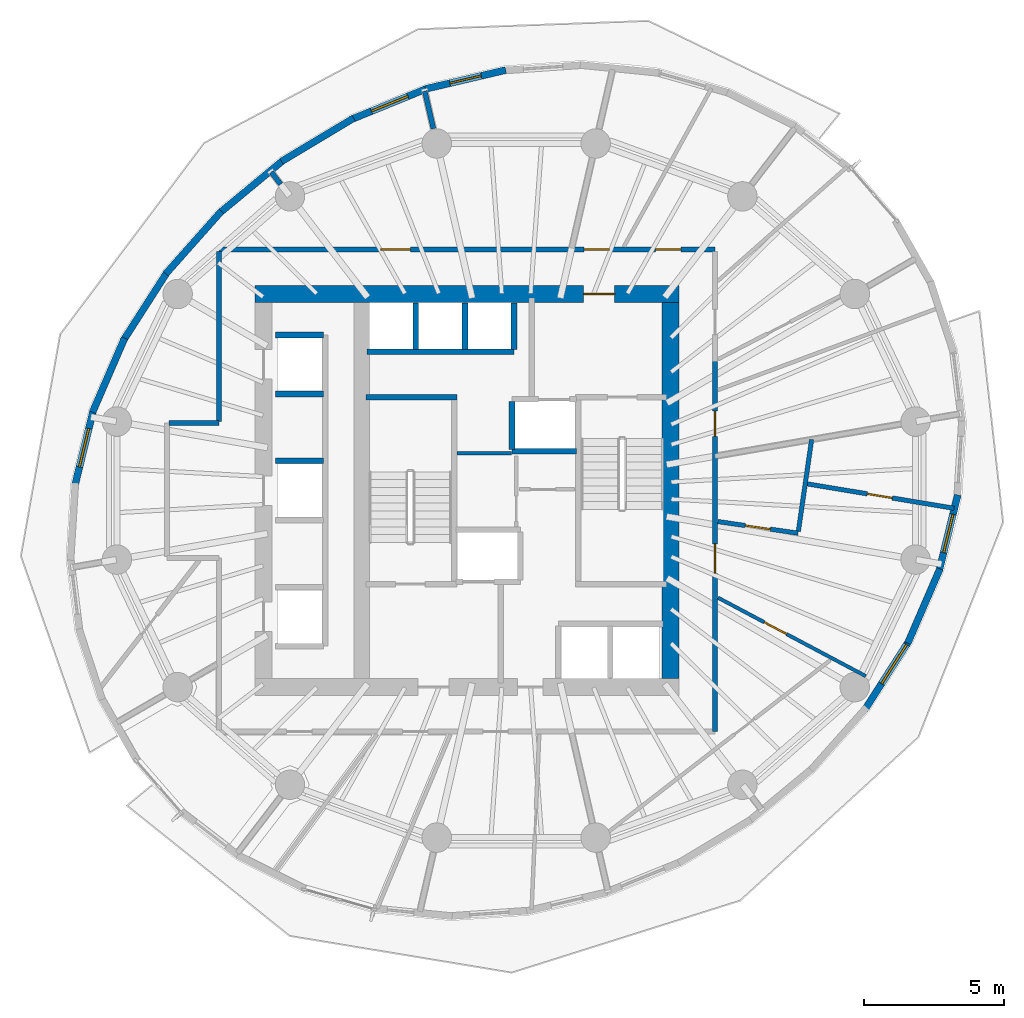
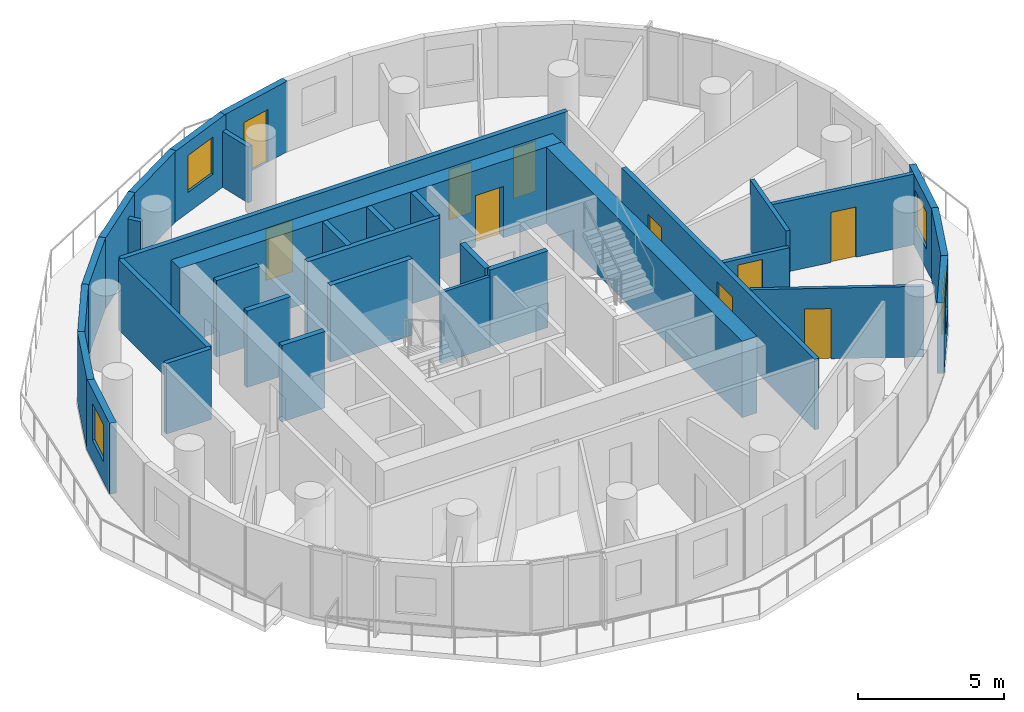
# One storey, part 6 of 12: 34 walls, 10 doors, 4 windows, 14 openings.
"""IFC4 building model written with IfcOpenShell, lengths in metres."""

from ifc_helpers import new_model, si_unit, direction, frame, frame_2d, origin, place, context, subcontext, project, spatial, rectangle, extrude, material, layer, layer_set, type_object, element, fill, save


model = new_model("IFC4")

# Units and contexts
model_context = context("Model", 3, precision=1e-05, world=origin(), true_north=direction((0.0, 1.0)))
body_context = subcontext(model_context, "Body", "Model", "MODEL_VIEW")
ifc_project = project(units=[si_unit("LENGTHUNIT", "METRE"), si_unit("AREAUNIT", "SQUARE_METRE"), si_unit("VOLUMEUNIT", "CUBIC_METRE"), si_unit("PLANEANGLEUNIT", "RADIAN"), si_unit("MASSUNIT", "GRAM", prefix="KILO")], contexts=[model_context])

# Site, building, storey
site_placement = place(None, origin())
site = spatial("IfcSite", under=ifc_project, at=site_placement, CompositionType="ELEMENT")
building_placement = place(site_placement, origin())
building = spatial("IfcBuilding", under=site, at=building_placement, Name="Veldorim Arch Residences", CompositionType="ELEMENT")
storey_placement = place(building_placement, frame((0.0, 0.0, 145.760009765625)))
storey = spatial("IfcBuildingStorey", under=building, at=storey_placement, Name="L43", CompositionType="ELEMENT", Elevation=145.760009765625)

# Wall
ifc_material_1 = material(Name="Acoustic Gypsum Board", Category="gypsum")
ifc_layer_1 = layer(ifc_material_1, 0.125, Name="Acoustic Stud Room Partition Wall 125")
ifc_layer_set_1 = layer_set([ifc_layer_1], Name="Acoustic Gypsum Board")
wall_type_1 = type_object("IfcWallType", Name="Acoustic Stud Room Partition Wall 125", PredefinedType="PARTITIONING", material=ifc_layer_set_1)
wall_1_placement = place(storey_placement, frame((29.889892578125, 25.330078125, 0.0), z_axis=(0.0, 0.0, 1.0), x_axis=(1.0, 0.0, 0.0)))
element("IfcWall", 1, at=wall_1_placement, inside=storey, type_object=wall_type_1, Name="L43 interior wall WL-CA-L43-N", PredefinedType="PARTITIONING", context=body_context, shape_type="SweptSolid", body=[
    extrude(rectangle(XDim=1.940185546875, YDim=0.125, at=frame_2d((0.97021484375, 0.0))), origin(), (0.0, 0.0, 1.0), 2.955078125),
])

# Wall, opening, door
wall_2_placement = place(storey_placement, frame((44.443115234375, 17.39453125, 0.0), z_axis=(0.0, 0.0, 1.0), x_axis=(-0.883258541518, 0.468886285612, 0.0)))
wall_2 = element("IfcWall", 2, at=wall_2_placement, inside=storey, type_object=wall_type_1, Name="L43 interior wall WL-RES-L43-016", PredefinedType="PARTITIONING", context=body_context, shape_type="SweptSolid", body=[
    extrude(rectangle(XDim=5.951904296875, YDim=0.125, at=frame_2d((2.97607421875, 0.0))), origin(), (0.0, 0.0, 1.0), 2.955078125),
])
opening_1_placement = place(wall_2_placement, frame((3.18408203125, 0.0, 0.0)))
opening_1 = element("IfcOpeningElement", 3, at=opening_1_placement, cuts=wall_2, Name="Opening DR-INT", PredefinedType="OPENING", context=body_context, shape_type="SweptSolid", body=[
    extrude(rectangle(XDim=0.89990234375, YDim=2.10009765625, at=frame_2d((0.449951171875, 1.050048828125))), frame((0.0, 0.072509765625, 0.0), z_axis=(0.0, -1.0, 0.0), x_axis=(1.0, 0.0, 0.0)), (0.0, 0.0, 1.0), 0.14501953125),
])
ifc_material_2 = material(Name="Engineered Timber", Category="wood")
door_type_1 = type_object("IfcDoorType", Name="Apartment Internal Room Timber Door 900x2100", OperationType="SINGLE_SWING_LEFT", PredefinedType="DOOR", material=ifc_material_2)
door_1_placement = place(opening_1_placement, origin())
door_1 = element("IfcDoor", 4, at=door_1_placement, inside=storey, type_object=door_type_1, Name="L43 interior door DR-RES-L43-007", OperationType="SINGLE_SWING_LEFT", OverallHeight=2.10009765625, OverallWidth=0.89990234375, PredefinedType="DOOR", context=body_context, shape_type="SweptSolid", body=[
    extrude(rectangle(XDim=0.89990234375, YDim=2.10009765625, at=frame_2d((0.449951171875, 1.050048828125))), frame((0.0, 0.02490234375, 0.0), z_axis=(0.0, -1.0, 0.0), x_axis=(1.0, 0.0, 0.0)), (0.0, 0.0, 1.0), 0.050048828125),
])
fill(opening_1, door_1)

# Walls
ifc_material_3 = material(Name="Lightweight Masonry Block & Gypsum", Category="masonry")
ifc_layer_2 = layer(ifc_material_3, 0.179931640625, Name="Compartment & Corridor Fire-Rated Party Wall 180")
ifc_layer_set_2 = layer_set([ifc_layer_2], Name="Lightweight Masonry Block & Gypsum")
wall_type_2 = type_object("IfcWallType", Name="Compartment & Corridor Fire-Rated Party Wall 180", PredefinedType="PARTITIONING", material=ifc_layer_set_2)
wall_3_placement = place(storey_placement, frame((29.049560546875, 36.88916015625, 0.0), z_axis=(0.0, 0.0, 1.0), x_axis=(-0.223027623572, 0.974812125039, 0.0)))
element("IfcWall", 5, at=wall_3_placement, inside=storey, type_object=wall_type_2, Name="L43 interior wall WL-PIER-L43-05", PredefinedType="PARTITIONING", context=body_context, shape_type="SweptSolid", body=[
    extrude(rectangle(XDim=1.372802734375, YDim=0.179931640625, at=frame_2d((0.6865234375, 0.0))), origin(), (0.0, 0.0, 1.0), 2.335693359375),
])
wall_4_placement = place(storey_placement, frame((23.612060546875, 34.908447265625, 0.0), z_axis=(0.0, 0.0, 1.0), x_axis=(-0.6096676216, 0.792657171275, 0.0)))
element("IfcWall", 6, at=wall_4_placement, inside=storey, type_object=wall_type_2, Name="L43 interior wall WL-PIER-L43-06", PredefinedType="PARTITIONING", context=body_context, shape_type="SweptSolid", body=[
    extrude(rectangle(XDim=0.547119140625, YDim=0.179931640625, at=frame_2d((0.2734375, 0.0))), origin(), (0.0, 0.0, 1.0), 2.335693359375),
])

# Wall, openings, doors
wall_5_placement = place(storey_placement, frame((39.080078125, 28.64501953125, 0.0), z_axis=(0.0, 0.0, 1.0), x_axis=(0.0, -1.0, 0.0)))
wall_5 = element("IfcWall", 7, at=wall_5_placement, inside=storey, type_object=wall_type_2, Name="L43 interior wall WL-RES-L43-003", PredefinedType="PARTITIONING", context=body_context, shape_type="SweptSolid", body=[
    extrude(rectangle(XDim=13.22509765625, YDim=0.179931640625, at=frame_2d((6.612548828125, 0.0))), origin(), (0.0, 0.0, 1.0), 2.955078125),
])
opening_2_placement = place(wall_5_placement, frame((6.54541015625, 0.0, 0.0)))
opening_2 = element("IfcOpeningElement", 8, at=opening_2_placement, cuts=wall_5, Name="Opening DR-FLT", PredefinedType="OPENING", context=body_context, shape_type="SweptSolid", body=[
    extrude(rectangle(XDim=1.050048828125, YDim=2.14990234375, at=frame_2d((0.52490234375, 1.074951171875))), frame((0.0, 0.099853515625, 0.0), z_axis=(0.0, -1.0, 0.0), x_axis=(1.0, 0.0, 0.0)), (0.0, 0.0, 1.0), 0.199951171875),
])
opening_3_placement = place(wall_5_placement, frame((1.8115234375, 0.0, 0.0)))
opening_3 = element("IfcOpeningElement", 9, at=opening_3_placement, cuts=wall_5, Name="Opening DR-INT", PredefinedType="OPENING", context=body_context, shape_type="SweptSolid", body=[
    extrude(rectangle(XDim=0.89990234375, YDim=2.10009765625, at=frame_2d((0.449951171875, 1.050048828125))), frame((0.0, 0.099853515625, 0.0), z_axis=(0.0, -1.0, 0.0), x_axis=(1.0, 0.0, 0.0)), (0.0, 0.0, 1.0), 0.199951171875),
])
ifc_material_4 = material(Name="Fire-Rated Timber", Category="wood")
door_type_2 = type_object("IfcDoorType", Name="Apartment Entrance Solid-Core Fire Door 1050x2150", OperationType="SINGLE_SWING_LEFT", PredefinedType="DOOR", material=ifc_material_4)
door_2_placement = place(opening_2_placement, origin())
door_2 = element("IfcDoor", 10, at=door_2_placement, inside=storey, type_object=door_type_2, Name="L43 interior door DR-RES-L43-005", OperationType="SINGLE_SWING_LEFT", OverallHeight=2.14990234375, OverallWidth=1.050048828125, PredefinedType="DOOR", context=body_context, shape_type="SweptSolid", body=[
    extrude(rectangle(XDim=1.050048828125, YDim=2.14990234375, at=frame_2d((0.52490234375, 1.074951171875))), frame((0.0, 0.02490234375, 0.0), z_axis=(0.0, -1.0, 0.0), x_axis=(1.0, 0.0, 0.0)), (0.0, 0.0, 1.0), 0.050048828125),
])
fill(opening_2, door_2)
door_3_placement = place(opening_3_placement, origin())
door_3 = element("IfcDoor", 11, at=door_3_placement, inside=storey, type_object=door_type_1, Name="L43 interior door DR-RES-L43-013", OperationType="SINGLE_SWING_LEFT", OverallHeight=2.10009765625, OverallWidth=0.89990234375, PredefinedType="DOOR", context=body_context, shape_type="SweptSolid", body=[
    extrude(rectangle(XDim=0.89990234375, YDim=2.10009765625, at=frame_2d((0.449951171875, 1.050048828125))), frame((0.0, 0.02490234375, 0.0), z_axis=(0.0, -1.0, 0.0), x_axis=(1.0, 0.0, 0.0)), (0.0, 0.0, 1.0), 0.050048828125),
])
fill(opening_3, door_3)

wall_6_placement = place(storey_placement, frame((21.419921875, 32.580078125, 0.0), z_axis=(0.0, 0.0, 1.0), x_axis=(1.0, 0.0, 0.0)))
wall_6 = element("IfcWall", 12, at=wall_6_placement, inside=storey, type_object=wall_type_2, Name="L43 interior wall WL-RES-L43-004", PredefinedType="PARTITIONING", context=body_context, shape_type="SweptSolid", body=[
    extrude(rectangle(XDim=17.66015625, YDim=0.179931640625, at=frame_2d((8.830078125, 0.0))), origin(), (0.0, 0.0, 1.0), 2.955078125),
])
opening_4_placement = place(wall_6_placement, frame((13.000732421875, 0.0, 0.0)))
opening_4 = element("IfcOpeningElement", 13, at=opening_4_placement, cuts=wall_6, Name="Opening DR-INT", PredefinedType="OPENING", context=body_context, shape_type="SweptSolid", body=[
    extrude(rectangle(XDim=0.89990234375, YDim=2.10009765625, at=frame_2d((0.449951171875, 1.050048828125))), frame((0.0, 0.099853515625, 0.0), z_axis=(0.0, -1.0, 0.0), x_axis=(1.0, 0.0, 0.0)), (0.0, 0.0, 1.0), 0.199951171875),
])
opening_5_placement = place(wall_6_placement, frame((15.54736328125, 0.0, 0.0)))
opening_5 = element("IfcOpeningElement", 14, at=opening_5_placement, cuts=wall_6, Name="Opening DR-SVC", PredefinedType="OPENING", context=body_context, shape_type="SweptSolid", body=[
    extrude(rectangle(XDim=0.89990234375, YDim=2.10009765625, at=frame_2d((0.449951171875, 1.050048828125))), frame((0.0, 0.099853515625, 0.0), z_axis=(0.0, -1.0, 0.0), x_axis=(1.0, 0.0, 0.0)), (0.0, 0.0, 1.0), 0.199951171875),
])
opening_6_placement = place(wall_6_placement, frame((5.757080078125, 0.0, 0.0)))
opening_6 = element("IfcOpeningElement", 15, at=opening_6_placement, cuts=wall_6, Name="Opening DR-FLT", PredefinedType="OPENING", context=body_context, shape_type="SweptSolid", body=[
    extrude(rectangle(XDim=1.050048828125, YDim=2.14990234375, at=frame_2d((0.52490234375, 1.074951171875))), frame((0.0, 0.099853515625, 0.0), z_axis=(0.0, -1.0, 0.0), x_axis=(1.0, 0.0, 0.0)), (0.0, 0.0, 1.0), 0.199951171875),
])
door_4_placement = place(opening_6_placement, origin())
door_4 = element("IfcDoor", 16, at=door_4_placement, inside=storey, type_object=door_type_2, Name="L43 interior door DR-RES-L43-015", OperationType="SINGLE_SWING_LEFT", OverallHeight=2.14990234375, OverallWidth=1.050048828125, PredefinedType="DOOR", context=body_context, shape_type="SweptSolid", body=[
    extrude(rectangle(XDim=1.050048828125, YDim=2.14990234375, at=frame_2d((0.52490234375, 1.074951171875))), frame((0.0, 0.02490234375, 0.0), z_axis=(0.0, -1.0, 0.0), x_axis=(1.0, 0.0, 0.0)), (0.0, 0.0, 1.0), 0.050048828125),
])
fill(opening_6, door_4)
door_5_placement = place(opening_4_placement, origin())
door_5 = element("IfcDoor", 17, at=door_5_placement, inside=storey, type_object=door_type_1, Name="L43 interior door DR-RES-L43-010", OperationType="SINGLE_SWING_RIGHT", OverallHeight=2.10009765625, OverallWidth=0.89990234375, PredefinedType="DOOR", context=body_context, shape_type="SweptSolid", body=[
    extrude(rectangle(XDim=0.89990234375, YDim=2.10009765625, at=frame_2d((0.449951171875, 1.050048828125))), frame((0.0, 0.02490234375, 0.0), z_axis=(0.0, -1.0, 0.0), x_axis=(1.0, 0.0, 0.0)), (0.0, 0.0, 1.0), 0.050048828125),
])
fill(opening_4, door_5)
ifc_material_5 = material(Name="Fire-Rated Steel", Category="steel")
door_type_3 = type_object("IfcDoorType", Name="Riser, Shelter & Plant Room Rated Steel Door 900x2100", OperationType="SINGLE_SWING_LEFT", PredefinedType="DOOR", material=ifc_material_5)
door_6_placement = place(opening_5_placement, origin())
door_6 = element("IfcDoor", 18, at=door_6_placement, inside=storey, type_object=door_type_3, Name="L43 interior door DR-RES-L43-011", OperationType="SINGLE_SWING_LEFT", OverallHeight=2.10009765625, OverallWidth=0.89990234375, PredefinedType="DOOR", context=body_context, shape_type="SweptSolid", body=[
    extrude(rectangle(XDim=0.89990234375, YDim=2.10009765625, at=frame_2d((0.449951171875, 1.050048828125))), frame((0.0, 0.02490234375, 0.0), z_axis=(0.0, -1.0, 0.0), x_axis=(1.0, 0.0, 0.0)), (0.0, 0.0, 1.0), 0.050048828125),
])
fill(opening_5, door_6)

# Walls
wall_7_placement = place(storey_placement, frame((19.6298828125, 26.39990234375, 0.0), z_axis=(0.0, 0.0, 1.0), x_axis=(1.0, 0.0, 0.0)))
element("IfcWall", 19, at=wall_7_placement, inside=storey, type_object=wall_type_2, Name="L43 interior wall WL-RES-L43-008", PredefinedType="PARTITIONING", context=body_context, shape_type="SweptSolid", body=[
    extrude(rectangle(XDim=1.7900390625, YDim=0.179931640625, at=frame_2d((0.89501953125, 0.0))), origin(), (0.0, 0.0, 1.0), 2.955078125),
])
wall_8_placement = place(storey_placement, frame((21.419921875, 26.4599609375, 0.0), z_axis=(0.0, 0.0, 1.0), x_axis=(0.0, 1.0, 0.0)))
element("IfcWall", 20, at=wall_8_placement, inside=storey, type_object=wall_type_2, Name="L43 interior wall WL-RES-L43-009", PredefinedType="PARTITIONING", context=body_context, shape_type="SweptSolid", body=[
    extrude(rectangle(XDim=6.06005859375, YDim=0.179931640625, at=frame_2d((3.030029296875, 0.0))), origin(), (0.0, 0.0, 1.0), 2.955078125),
])
ifc_material_6 = material(Name="Concrete C50/60", Category="concrete")
ifc_layer_3 = layer(ifc_material_6, 0.199951171875, Name="Core Stair & Lift Shaft Enclosure Wall 200")
ifc_layer_set_3 = layer_set([ifc_layer_3], Name="Concrete C50/60")
wall_type_3 = type_object("IfcWallType", Name="Core Stair & Lift Shaft Enclosure Wall 200", PredefinedType="SHEAR", material=ifc_layer_set_3)
wall_9_placement = place(storey_placement, frame((26.64990234375, 27.330078125, 0.0), z_axis=(0.0, 0.0, 1.0), x_axis=(1.0, 0.0, 0.0)))
element("IfcWall", 21, at=wall_9_placement, inside=storey, type_object=wall_type_3, Name="L43 shaft wall WL-SHF-L43-ST1-N", PredefinedType="SHEAR", context=body_context, shape_type="SweptSolid", body=[
    extrude(rectangle(XDim=3.239990234375, YDim=0.199951171875, at=frame_2d((1.6201171875, 0.0))), origin(), (0.0, 0.0, 1.0), 3.199951171875),
])
wall_10_placement = place(storey_placement, frame((31.85009765625, 25.39990234375, 0.0), z_axis=(0.0, 0.0, 1.0), x_axis=(1.0, 0.0, 0.0)))
element("IfcWall", 22, at=wall_10_placement, inside=storey, type_object=wall_type_3, Name="L43 shaft wall WL-FL02-L43-S", PredefinedType="SHEAR", context=body_context, shape_type="SweptSolid", body=[
    extrude(rectangle(XDim=2.2998046875, YDim=0.199951171875, at=frame_2d((1.14990234375, 0.0))), origin(), (0.0, 0.0, 1.0), 3.199951171875),
])
for number, where, z_axis, x_axis, name in (
    (23, (31.85009765625, 25.469970703125, 0.0), (0.0, 0.0, 1.0), (0.0, 1.0, 0.0), "L43 shaft wall WL-FL02-L43-W"),
    (24, (23.419921875, 29.5400390625, 0.0), (0.0, 0.0, 1.0), (1.0, 0.0, 0.0), "L43 shaft wall WL-B2-L43-N"),
    (25, (23.419921875, 25.06005859375, 0.0), (0.0, 0.0, 1.0), (1.0, 0.0, 0.0), "L43 shaft wall WL-B2-L43-D2A"),
    (26, (23.419921875, 27.43994140625, 0.0), (0.0, 0.0, 1.0), (1.0, 0.0, 0.0), "L43 shaft wall WL-B2-L43-D2B"),
):
    element("IfcWall", number, at=place(storey_placement, frame(where, z_axis=z_axis, x_axis=x_axis)), inside=storey, type_object=wall_type_3, Name=name, PredefinedType="SHEAR", context=body_context, shape_type="SweptSolid", body=[
        extrude(rectangle(XDim=1.7099609375, YDim=0.199951171875, at=frame_2d((0.85498046875, 0.0))), origin(), (0.0, 0.0, 1.0), 3.199951171875),
    ])
wall_11_placement = place(storey_placement, frame((26.679931640625, 28.949951171875, 0.0), z_axis=(0.0, 0.0, 1.0), x_axis=(1.0, 0.0, 0.0)))
element("IfcWall", 27, at=wall_11_placement, inside=storey, type_object=wall_type_3, Name="L43 shaft wall WL-B3-L43-S", PredefinedType="SHEAR", context=body_context, shape_type="SweptSolid", body=[
    extrude(rectangle(XDim=5.239990234375, YDim=0.199951171875, at=frame_2d((2.6201171875, 0.0))), origin(), (0.0, 0.0, 1.0), 3.199951171875),
])
for number, where, z_axis, x_axis, name in (
    (28, (31.919921875, 29.02001953125, 0.0), (0.0, 0.0, 1.0), (0.0, 1.0, 0.0), "L43 shaft wall WL-B3-L43-E"),
    (29, (28.425048828125, 29.02001953125, 0.0), (0.0, 0.0, 1.0), (0.0, 1.0, 0.0), "L43 shaft wall WL-B3-L43-D1"),
    (30, (30.175048828125, 29.02001953125, 0.0), (0.0, 0.0, 1.0), (0.0, 1.0, 0.0), "L43 shaft wall WL-B3-L43-D2"),
):
    element("IfcWall", number, at=place(storey_placement, frame(where, z_axis=z_axis, x_axis=x_axis)), inside=storey, type_object=wall_type_3, Name=name, PredefinedType="SHEAR", context=body_context, shape_type="SweptSolid", body=[
        extrude(rectangle(XDim=1.659912109375, YDim=0.199951171875, at=frame_2d((0.830078125, 0.0))), origin(), (0.0, 0.0, 1.0), 3.199951171875),
    ])

# Wall, opening, door
ifc_material_7 = material(Name="Concrete C50/60", Category="concrete")
ifc_layer_4 = layer(ifc_material_7, 0.60009765625, Name="Mid-Upper Central Core Shear Wall 600")
ifc_layer_set_4 = layer_set([ifc_layer_4], Name="Concrete C50/60")
wall_type_4 = type_object("IfcWallType", Name="Mid-Upper Central Core Shear Wall 600", PredefinedType="SHEAR", material=ifc_layer_set_4)
wall_12_placement = place(storey_placement, frame((22.699951171875, 31.0, 0.0), z_axis=(0.0, 0.0, 1.0), x_axis=(1.0, 0.0, 0.0)))
wall_12 = element("IfcWall", 31, at=wall_12_placement, inside=storey, type_object=wall_type_4, Name="L43 central core north shear wall", PredefinedType="SHEAR", context=body_context, shape_type="SweptSolid", body=[
    extrude(rectangle(XDim=15.10009765625, YDim=0.60009765625, at=frame_2d((7.550048828125, 0.0))), origin(), (0.0, 0.0, 1.0), 3.199951171875),
])
opening_7_placement = place(wall_12_placement, frame((11.699951171875, 0.0, 0.0)))
opening_7 = element("IfcOpeningElement", 32, at=opening_7_placement, cuts=wall_12, Name="Opening DR-FFL", PredefinedType="OPENING", context=body_context, shape_type="SweptSolid", body=[
    extrude(rectangle(XDim=1.10009765625, YDim=2.14990234375, at=frame_2d((0.550048828125, 1.074951171875))), frame((0.0, 0.31005859375, 0.0), z_axis=(0.0, -1.0, 0.0), x_axis=(1.0, 0.0, 0.0)), (0.0, 0.0, 1.0), 0.6201171875),
])
ifc_material_8 = material(Name="Fire-Rated Steel & Vision Glass", Category="steel")
door_type_4 = type_object("IfcDoorType", Name="Firefighting Lobby Smoke-Stop Fire Door 1100x2150", OperationType="SINGLE_SWING_LEFT", PredefinedType="DOOR", material=ifc_material_8)
door_7_placement = place(opening_7_placement, origin())
door_7 = element("IfcDoor", 33, at=door_7_placement, inside=storey, type_object=door_type_4, Name="L43 interior door DR-L43-FFL2", OperationType="SINGLE_SWING_LEFT", OverallHeight=2.14990234375, OverallWidth=1.10009765625, PredefinedType="DOOR", context=body_context, shape_type="SweptSolid", body=[
    extrude(rectangle(XDim=1.10009765625, YDim=2.14990234375, at=frame_2d((0.550048828125, 1.074951171875))), frame((0.0, 0.02490234375, 0.0), z_axis=(0.0, -1.0, 0.0), x_axis=(1.0, 0.0, 0.0)), (0.0, 0.0, 1.0), 0.050048828125),
])
fill(opening_7, door_7)

# Wall
wall_13_placement = place(storey_placement, frame((37.5, 17.300048828125, 0.0), z_axis=(0.0, 0.0, 1.0), x_axis=(0.0, 1.0, 0.0)))
element("IfcWall", 34, at=wall_13_placement, inside=storey, type_object=wall_type_4, Name="L43 central core east shear wall", PredefinedType="SHEAR", context=body_context, shape_type="SweptSolid", body=[
    extrude(rectangle(XDim=13.39990234375, YDim=0.60009765625, at=frame_2d((6.699951171875, 0.0))), origin(), (0.0, 0.0, 1.0), 3.199951171875),
])

# Wall, opening, door
ifc_material_9 = material(Name="Precast concrete C40/50", Category="concrete")
ifc_layer_5 = layer(ifc_material_9, 0.25, Name="Tower Terracotta Spandrel & Pier Wall 250")
ifc_layer_set_5 = layer_set([ifc_layer_5], Name="Precast concrete C40/50")
wall_type_5 = type_object("IfcWallType", Name="Tower Terracotta Spandrel & Pier Wall 250", PredefinedType="SOLIDWALL", material=ifc_layer_set_5)
wall_14_placement = place(storey_placement, frame((28.766845703125, 38.305419921875, 0.0), z_axis=(0.0, 0.0, 1.0), x_axis=(0.973538048261, 0.228524984602, 0.0)))
wall_14 = element("IfcWall", 35, at=wall_14_placement, inside=storey, type_object=wall_type_5, Name="L43 terracotta facade wall 07", PredefinedType="SOLIDWALL", context=body_context, shape_type="SweptSolid", body=[
    extrude(rectangle(XDim=2.936767578125, YDim=0.25, at=frame_2d((1.46826171875, 0.0))), origin(), (0.0, 0.0, 1.0), 2.9599609375),
])
opening_8_placement = place(wall_14_placement, frame((0.89306640625, 0.0, 0.0)))
opening_8 = element("IfcOpeningElement", 36, at=opening_8_placement, cuts=wall_14, Name="Opening BL-DR", PredefinedType="OPENING", context=body_context, shape_type="SweptSolid", body=[
    extrude(rectangle(XDim=1.14990234375, YDim=2.199951171875, at=frame_2d((0.574951171875, 1.10009765625))), frame((0.0, 0.135009765625, 0.0), z_axis=(0.0, -1.0, 0.0), x_axis=(1.0, 0.0, 0.0)), (0.0, 0.0, 1.0), 0.27001953125),
])
ifc_material_10 = material(Name="Aluminium & Low-E Glass", Category="aluminium")
door_type_5 = type_object("IfcDoorType", Name="Glazed Planted Balcony Door 1150x2200", OperationType="SINGLE_SWING_LEFT", PredefinedType="DOOR", material=ifc_material_10)
door_8_placement = place(opening_8_placement, origin())
door_8 = element("IfcDoor", 37, at=door_8_placement, inside=storey, type_object=door_type_5, Name="L43 glazed outdoor terrace door BALC-1", OperationType="SINGLE_SWING_LEFT", OverallHeight=2.199951171875, OverallWidth=1.14990234375, PredefinedType="DOOR", context=body_context, shape_type="SweptSolid", body=[
    extrude(rectangle(XDim=1.14990234375, YDim=2.199951171875, at=frame_2d((0.574951171875, 1.10009765625))), frame((0.0, 0.02490234375, 0.0), z_axis=(0.0, -1.0, 0.0), x_axis=(1.0, 0.0, 0.0)), (0.0, 0.0, 1.0), 0.050048828125),
])
fill(opening_8, door_8)

# Wall, opening, window
wall_15_placement = place(storey_placement, frame((26.114013671875, 37.21533203125, 0.0), z_axis=(0.0, 0.0, 1.0), x_axis=(0.926076439021, 0.377335963154, 0.0)))
wall_15 = element("IfcWall", 38, at=wall_15_placement, inside=storey, type_object=wall_type_5, Name="L43 terracotta facade wall 08", PredefinedType="SOLIDWALL", context=body_context, shape_type="SweptSolid", body=[
    extrude(rectangle(XDim=2.976806640625, YDim=0.25, at=frame_2d((1.48828125, 0.0))), origin(), (0.0, 0.0, 1.0), 2.9599609375),
])
opening_9_placement = place(wall_15_placement, frame((0.7890625, 0.0, 0.85009765625)))
opening_9 = element("IfcOpeningElement", 39, at=opening_9_placement, cuts=wall_15, Name="Opening WN-02", PredefinedType="OPENING", context=body_context, shape_type="SweptSolid", body=[
    extrude(rectangle(XDim=1.39990234375, YDim=1.550048828125, at=frame_2d((0.699951171875, 0.77490234375))), frame((0.0, 0.135009765625, 0.0), z_axis=(0.0, -1.0, 0.0), x_axis=(1.0, 0.0, 0.0)), (0.0, 0.0, 1.0), 0.27001953125),
])
ifc_material_11 = material(Name="Laminated Low-E Glass", Category="glass")
window_type_1 = type_object("IfcWindowType", Name="Residential Casement Window 1400x1550", PartitioningType="SINGLE_PANEL", PredefinedType="WINDOW", material=ifc_material_11)
window_1_placement = place(opening_9_placement, origin())
window_1 = element("IfcWindow", 40, at=window_1_placement, inside=storey, type_object=window_type_1, Name="L43 solar-control facade window 08", OverallHeight=1.550048828125, OverallWidth=1.39990234375, PartitioningType="SINGLE_PANEL", PredefinedType="WINDOW", context=body_context, shape_type="SweptSolid", body=[
    extrude(rectangle(XDim=1.39990234375, YDim=1.550048828125, at=frame_2d((0.699951171875, 0.77490234375))), frame((0.0, 0.030029296875, 0.0), z_axis=(0.0, -1.0, 0.0), x_axis=(1.0, 0.0, 0.0)), (0.0, 0.0, 1.0), 0.06005859375),
])
fill(opening_9, window_1)

# Walls
for number, where, z_axis, x_axis, name in (
    (41, (23.63916015625, 35.722900390625, 0.0), (0.0, 0.0, 1.0), (0.857816062946, 0.513956809617, 0.0), "L43 terracotta facade wall 09"),
    (42, (21.418701171875, 33.873291015625, 0.0), (0.0, 0.0, 1.0), (0.77019983048, 0.637802650613, 0.0), "L43 terracotta facade wall 10"),
):
    element("IfcWall", number, at=place(storey_placement, frame(where, z_axis=z_axis, x_axis=x_axis)), inside=storey, type_object=wall_type_5, Name=name, PredefinedType="SOLIDWALL", context=body_context, shape_type="SweptSolid", body=[
        extrude(rectangle(XDim=2.998291015625, YDim=0.25, at=frame_2d((1.4990234375, 0.0))), origin(), (0.0, 0.0, 1.0), 2.9599609375),
    ])
wall_16_placement = place(storey_placement, frame((19.520263671875, 31.722900390625, 0.0), z_axis=(0.0, 0.0, 1.0), x_axis=(0.664002369324, 0.747730468506, 0.0)))
element("IfcWall", 43, at=wall_16_placement, inside=storey, type_object=wall_type_5, Name="L43 terracotta facade wall 11", PredefinedType="SOLIDWALL", context=body_context, shape_type="SweptSolid", body=[
    extrude(rectangle(XDim=2.97705078125, YDim=0.25, at=frame_2d((1.488525390625, 0.0))), origin(), (0.0, 0.0, 1.0), 2.9599609375),
])
wall_17_placement = place(storey_placement, frame((18.001708984375, 29.337158203125, 0.0), z_axis=(0.0, 0.0, 1.0), x_axis=(0.539492373821, 0.841990486044, 0.0)))
element("IfcWall", 44, at=wall_17_placement, inside=storey, type_object=wall_type_5, Name="L43 terracotta facade wall 12", PredefinedType="SOLIDWALL", context=body_context, shape_type="SweptSolid", body=[
    extrude(rectangle(XDim=2.93701171875, YDim=0.25, at=frame_2d((1.468505859375, 0.0))), origin(), (0.0, 0.0, 1.0), 2.9599609375),
])
wall_18_placement = place(storey_placement, frame((16.909423828125, 26.789306640625, 0.0), z_axis=(0.0, 0.0, 1.0), x_axis=(0.397015319193, 0.917811983102, 0.0)))
element("IfcWall", 45, at=wall_18_placement, inside=storey, type_object=wall_type_5, Name="L43 terracotta facade wall 13", PredefinedType="SOLIDWALL", context=body_context, shape_type="SweptSolid", body=[
    extrude(rectangle(XDim=2.881591796875, YDim=0.25, at=frame_2d((1.44091796875, 0.0))), origin(), (0.0, 0.0, 1.0), 2.9599609375),
])

# Wall, opening, window
wall_19_placement = place(storey_placement, frame((16.27685546875, 24.156982421875, 0.0), z_axis=(0.0, 0.0, 1.0), x_axis=(0.236986101123, 0.971513040507, 0.0)))
wall_19 = element("IfcWall", 46, at=wall_19_placement, inside=storey, type_object=wall_type_5, Name="L43 terracotta facade wall 14", PredefinedType="SOLIDWALL", context=body_context, shape_type="SweptSolid", body=[
    extrude(rectangle(XDim=2.817626953125, YDim=0.25, at=frame_2d((1.40869140625, 0.0))), origin(), (0.0, 0.0, 1.0), 2.9599609375),
])
opening_10_placement = place(wall_19_placement, frame((0.708984375, 0.0, 0.85009765625)))
opening_10 = element("IfcOpeningElement", 47, at=opening_10_placement, cuts=wall_19, Name="Opening WN-02", PredefinedType="OPENING", context=body_context, shape_type="SweptSolid", body=[
    extrude(rectangle(XDim=1.39990234375, YDim=1.550048828125, at=frame_2d((0.699951171875, 0.77490234375))), frame((0.0, 0.135009765625, 0.0), z_axis=(0.0, -1.0, 0.0), x_axis=(1.0, 0.0, 0.0)), (0.0, 0.0, 1.0), 0.27001953125),
])
window_2_placement = place(opening_10_placement, origin())
window_2 = element("IfcWindow", 48, at=window_2_placement, inside=storey, type_object=window_type_1, Name="L43 solar-control facade window 14", OverallHeight=1.550048828125, OverallWidth=1.39990234375, PartitioningType="SINGLE_PANEL", PredefinedType="WINDOW", context=body_context, shape_type="SweptSolid", body=[
    extrude(rectangle(XDim=1.39990234375, YDim=1.550048828125, at=frame_2d((0.699951171875, 0.77490234375))), frame((0.0, 0.030029296875, 0.0), z_axis=(0.0, -1.0, 0.0), x_axis=(1.0, 0.0, 0.0)), (0.0, 0.0, 1.0), 0.06005859375),
])
fill(opening_10, window_2)

wall_20_placement = place(storey_placement, frame((45.998291015625, 18.662841796875, 0.0), z_axis=(0.0, 0.0, 1.0), x_axis=(-0.539492373821, -0.841990486044, 0.0)))
wall_20 = element("IfcWall", 49, at=wall_20_placement, inside=storey, type_object=wall_type_5, Name="L43 terracotta facade wall 30", PredefinedType="SOLIDWALL", context=body_context, shape_type="SweptSolid", body=[
    extrude(rectangle(XDim=2.93701171875, YDim=0.25, at=frame_2d((1.468505859375, 0.0))), origin(), (0.0, 0.0, 1.0), 2.9599609375),
])
opening_11_placement = place(wall_20_placement, frame((0.175048828125, 0.0, 0.85009765625)))
opening_11 = element("IfcOpeningElement", 50, at=opening_11_placement, cuts=wall_20, Name="Opening WN-03", PredefinedType="OPENING", context=body_context, shape_type="SweptSolid", body=[
    extrude(rectangle(XDim=1.64990234375, YDim=1.550048828125, at=frame_2d((0.824951171875, 0.77490234375))), frame((0.0, 0.135009765625, 0.0), z_axis=(0.0, -1.0, 0.0), x_axis=(1.0, 0.0, 0.0)), (0.0, 0.0, 1.0), 0.27001953125),
])
ifc_material_12 = material(Name="Laminated Low-E Glass", Category="glass")
window_type_2 = type_object("IfcWindowType", Name="Residential Wide Window 1650x1550", PartitioningType="SINGLE_PANEL", PredefinedType="WINDOW", material=ifc_material_12)
window_3_placement = place(opening_11_placement, origin())
window_3 = element("IfcWindow", 51, at=window_3_placement, inside=storey, type_object=window_type_2, Name="L43 solar-control facade window 30", OverallHeight=1.550048828125, OverallWidth=1.64990234375, PartitioningType="SINGLE_PANEL", PredefinedType="WINDOW", context=body_context, shape_type="SweptSolid", body=[
    extrude(rectangle(XDim=1.64990234375, YDim=1.550048828125, at=frame_2d((0.824951171875, 0.77490234375))), frame((0.0, 0.030029296875, 0.0), z_axis=(0.0, -1.0, 0.0), x_axis=(1.0, 0.0, 0.0)), (0.0, 0.0, 1.0), 0.06005859375),
])
fill(opening_11, window_3)

# Wall
wall_21_placement = place(storey_placement, frame((47.090576171875, 21.210693359375, 0.0), z_axis=(0.0, 0.0, 1.0), x_axis=(-0.397015319193, -0.917811983102, 0.0)))
element("IfcWall", 52, at=wall_21_placement, inside=storey, type_object=wall_type_5, Name="L43 terracotta facade wall 31", PredefinedType="SOLIDWALL", context=body_context, shape_type="SweptSolid", body=[
    extrude(rectangle(XDim=2.881591796875, YDim=0.25, at=frame_2d((1.44091796875, 0.0))), origin(), (0.0, 0.0, 1.0), 2.9599609375),
])

# Wall, opening, window
wall_22_placement = place(storey_placement, frame((47.72314453125, 23.843017578125, 0.0), z_axis=(0.0, 0.0, 1.0), x_axis=(-0.236986101123, -0.971513040507, 0.0)))
wall_22 = element("IfcWall", 53, at=wall_22_placement, inside=storey, type_object=wall_type_5, Name="L43 terracotta facade wall 32", PredefinedType="SOLIDWALL", context=body_context, shape_type="SweptSolid", body=[
    extrude(rectangle(XDim=2.817626953125, YDim=0.25, at=frame_2d((1.40869140625, 0.0))), origin(), (0.0, 0.0, 1.0), 2.9599609375),
])
opening_12_placement = place(wall_22_placement, frame((0.708984375, 0.0, 0.85009765625)))
opening_12 = element("IfcOpeningElement", 54, at=opening_12_placement, cuts=wall_22, Name="Opening WN-02", PredefinedType="OPENING", context=body_context, shape_type="SweptSolid", body=[
    extrude(rectangle(XDim=1.39990234375, YDim=1.550048828125, at=frame_2d((0.699951171875, 0.77490234375))), frame((0.0, 0.135009765625, 0.0), z_axis=(0.0, -1.0, 0.0), x_axis=(1.0, 0.0, 0.0)), (0.0, 0.0, 1.0), 0.27001953125),
])
window_4_placement = place(opening_12_placement, origin())
window_4 = element("IfcWindow", 55, at=window_4_placement, inside=storey, type_object=window_type_1, Name="L43 solar-control facade window 32", OverallHeight=1.550048828125, OverallWidth=1.39990234375, PartitioningType="SINGLE_PANEL", PredefinedType="WINDOW", context=body_context, shape_type="SweptSolid", body=[
    extrude(rectangle(XDim=1.39990234375, YDim=1.550048828125, at=frame_2d((0.699951171875, 0.77490234375))), frame((0.0, 0.030029296875, 0.0), z_axis=(0.0, -1.0, 0.0), x_axis=(1.0, 0.0, 0.0)), (0.0, 0.0, 1.0), 0.06005859375),
])
fill(opening_12, window_4)

# Wall, opening, door
ifc_material_13 = material(Name="Moisture-Resistant Gypsum & Stud", Category="gypsum")
ifc_layer_6 = layer(ifc_material_13, 0.159912109375, Name="Wet-Area Moisture-Resistant Plumbing Wall 160")
ifc_layer_set_6 = layer_set([ifc_layer_6], Name="Moisture-Resistant Gypsum & Stud")
wall_type_6 = type_object("IfcWallType", Name="Wet-Area Moisture-Resistant Plumbing Wall 160", PredefinedType="PLUMBINGWALL", material=ifc_layer_set_6)
wall_23_placement = place(storey_placement, frame((42.293701171875, 24.25048828125, 0.0), z_axis=(0.0, 0.0, 1.0), x_axis=(0.986430753195, -0.164177858287, 0.0)))
wall_23 = element("IfcWall", 56, at=wall_23_placement, inside=storey, type_object=wall_type_6, Name="L43 interior wall WL-RES-L43-015", PredefinedType="PLUMBINGWALL", context=body_context, shape_type="SweptSolid", body=[
    extrude(rectangle(XDim=5.371337890625, YDim=0.159912109375, at=frame_2d((2.685546875, 0.0))), origin(), (0.0, 0.0, 1.0), 2.955078125),
])
opening_13_placement = place(wall_23_placement, frame((2.235595703125, 0.0, 0.0)))
opening_13 = element("IfcOpeningElement", 57, at=opening_13_placement, cuts=wall_23, Name="Opening DR-WC", PredefinedType="OPENING", context=body_context, shape_type="SweptSolid", body=[
    extrude(rectangle(XDim=0.89990234375, YDim=2.10009765625, at=frame_2d((0.449951171875, 1.050048828125))), frame((0.0, 0.08984375, 0.0), z_axis=(0.0, -1.0, 0.0), x_axis=(1.0, 0.0, 0.0)), (0.0, 0.0, 1.0), 0.179931640625),
])
ifc_material_14 = material(Name="Laminate Timber", Category="wood")
door_type_6 = type_object("IfcDoorType", Name="Bathroom & Accessible WC Moisture-Sealed Door 900x2100", OperationType="SINGLE_SWING_LEFT", PredefinedType="DOOR", material=ifc_material_14)
door_9_placement = place(opening_13_placement, origin())
door_9 = element("IfcDoor", 58, at=door_9_placement, inside=storey, type_object=door_type_6, Name="L43 interior door DR-RES-L43-006", OperationType="SINGLE_SWING_RIGHT", OverallHeight=2.10009765625, OverallWidth=0.89990234375, PredefinedType="DOOR", context=body_context, shape_type="SweptSolid", body=[
    extrude(rectangle(XDim=0.89990234375, YDim=2.10009765625, at=frame_2d((0.449951171875, 1.050048828125))), frame((0.0, 0.02490234375, 0.0), z_axis=(0.0, -1.0, 0.0), x_axis=(1.0, 0.0, 0.0)), (0.0, 0.0, 1.0), 0.050048828125),
])
fill(opening_13, door_9)

wall_24_placement = place(storey_placement, frame((39.178955078125, 22.89599609375, 0.0), z_axis=(0.0, 0.0, 1.0), x_axis=(0.989697773488, -0.143172333756, 0.0)))
wall_24 = element("IfcWall", 59, at=wall_24_placement, inside=storey, type_object=wall_type_6, Name="L43 interior wall WL-RES-L43-017", PredefinedType="PLUMBINGWALL", context=body_context, shape_type="SweptSolid", body=[
    extrude(rectangle(XDim=2.888671875, YDim=0.159912109375, at=frame_2d((1.4443359375, 0.0))), origin(), (0.0, 0.0, 1.0), 2.335693359375),
])
opening_14_placement = place(wall_24_placement, frame((0.994384765625, 0.0, 0.0)))
opening_14 = element("IfcOpeningElement", 60, at=opening_14_placement, cuts=wall_24, Name="Opening DR-INT", PredefinedType="OPENING", context=body_context, shape_type="SweptSolid", body=[
    extrude(rectangle(XDim=0.89990234375, YDim=2.10009765625, at=frame_2d((0.449951171875, 1.050048828125))), frame((0.0, 0.08984375, 0.0), z_axis=(0.0, -1.0, 0.0), x_axis=(1.0, 0.0, 0.0)), (0.0, 0.0, 1.0), 0.179931640625),
])
door_10_placement = place(opening_14_placement, origin())
door_10 = element("IfcDoor", 61, at=door_10_placement, inside=storey, type_object=door_type_1, Name="L43 interior door DR-RES-L43-009", OperationType="SINGLE_SWING_LEFT", OverallHeight=2.10009765625, OverallWidth=0.89990234375, PredefinedType="DOOR", context=body_context, shape_type="SweptSolid", body=[
    extrude(rectangle(XDim=0.89990234375, YDim=2.10009765625, at=frame_2d((0.449951171875, 1.050048828125))), frame((0.0, 0.02490234375, 0.0), z_axis=(0.0, -1.0, 0.0), x_axis=(1.0, 0.0, 0.0)), (0.0, 0.0, 1.0), 0.050048828125),
])
fill(opening_14, door_10)

# Wall
wall_25_placement = place(storey_placement, frame((42.04638671875, 22.5419921875, 0.0), z_axis=(0.0, 0.0, 1.0), x_axis=(0.143217612057, 0.98969122235, 0.0)))
element("IfcWall", 62, at=wall_25_placement, inside=storey, type_object=wall_type_6, Name="L43 interior wall WL-RES-L43-018", PredefinedType="PLUMBINGWALL", context=body_context, shape_type="SweptSolid", body=[
    extrude(rectangle(XDim=3.310546875, YDim=0.159912109375, at=frame_2d((1.6552734375, 0.0))), origin(), (0.0, 0.0, 1.0), 2.955078125),
])

save(model, "model.ifc")
